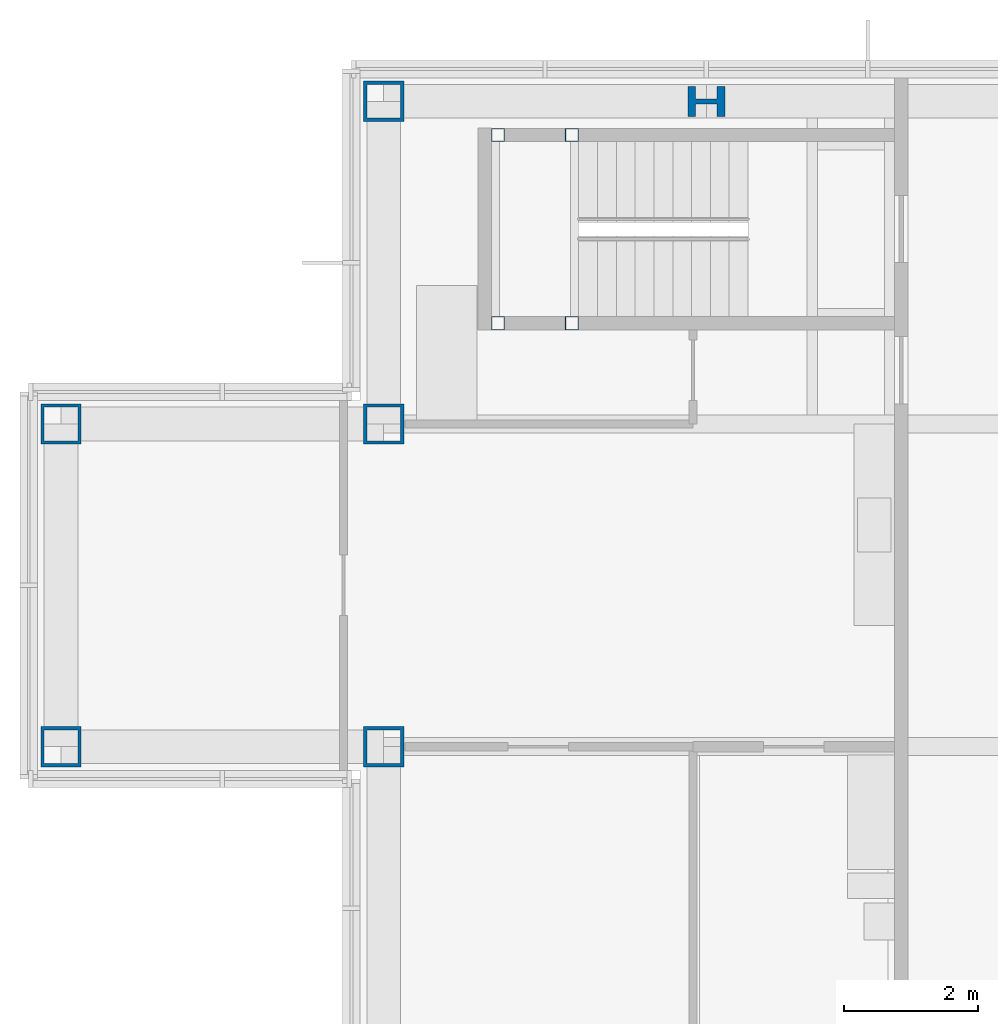
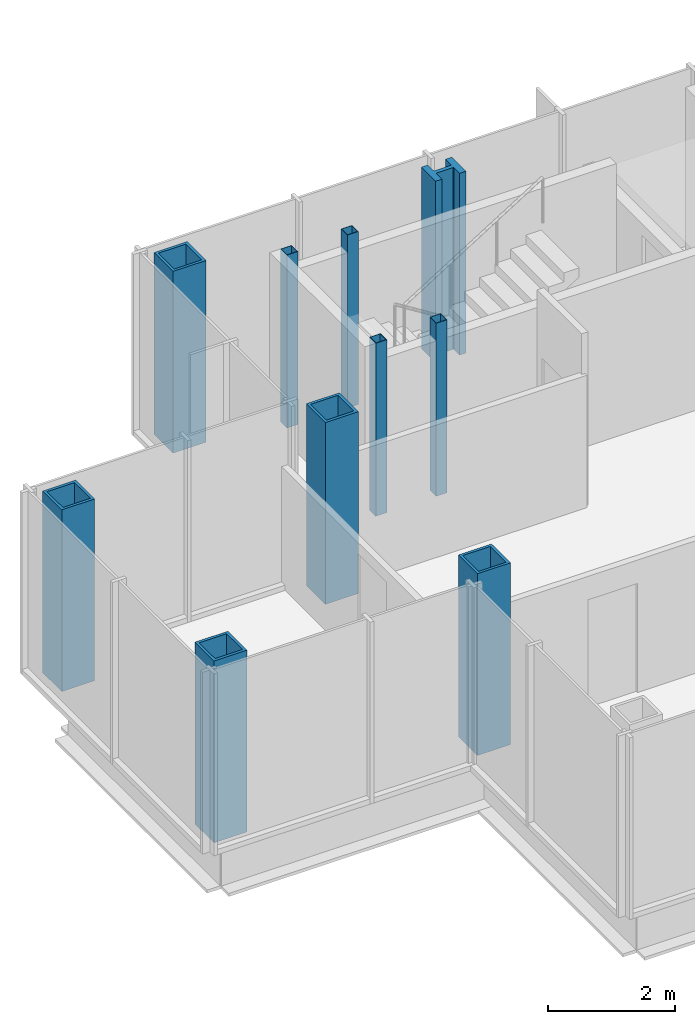
# One storey, part 3 of 15: 10 columns.
"""IFC4 building model written with IfcOpenShell, lengths in metres."""

from ifc_helpers import new_model, si_unit, direction, frame, origin, origin_2d, place, context, subcontext, project, spatial, hollow_rectangle, i_section, extrude, material, material_profile, profile_set, type_object, element, save


model = new_model("IFC4")

# Units and contexts
model_context = context("Model", 3, precision=1e-05, world=origin(), true_north=direction((0.0, 1.0)))
body_context = subcontext(model_context, "Body", "Model", "MODEL_VIEW")
ifc_project = project(units=[si_unit("LENGTHUNIT", "METRE"), si_unit("AREAUNIT", "SQUARE_METRE"), si_unit("VOLUMEUNIT", "CUBIC_METRE"), si_unit("PLANEANGLEUNIT", "RADIAN"), si_unit("MASSUNIT", "GRAM", prefix="KILO")], contexts=[model_context])

# Site, building, storey
site_placement = place(None, origin())
site = spatial("IfcSite", under=ifc_project, at=site_placement, CompositionType="ELEMENT")
building_placement = place(site_placement, origin())
building = spatial("IfcBuilding", under=site, at=building_placement, Name="Kvirike Care Tower", CompositionType="ELEMENT")
storey_placement = place(building_placement, frame((0.0, 0.0, 222.5)))
storey = spatial("IfcBuildingStorey", under=building, at=storey_placement, Name="L61", CompositionType="ELEMENT", Elevation=222.5)

# Columns
ifc_material_1 = material(Name="Steel S460", Category="steel")
ifc_material_profile_1 = material_profile(ifc_material_1, hollow_rectangle(XDim=0.60009765625, YDim=0.60009765625, WallThickness=0.050048828125, at=origin_2d()), Name="BX 600x600x50")
ifc_profile_set_1 = profile_set([ifc_material_profile_1], Name="Steel S460")
column_type_1 = type_object("IfcColumnType", Name="COLUMN BX 600x600x50", PredefinedType="COLUMN", material=ifc_profile_set_1)
for number, where, z_axis, x_axis, name in (
    (1, (0.0, 33.60009765625, 0.0), (0.0, 0.0, 1.0), (0.0, 1.0, 0.0), "Column H3 L61"),
    (2, (0.0, 38.39990234375, 0.0), (0.0, 0.0, 1.0), (0.0, 1.0, 0.0), "Column J3 L61"),
    (3, (4.800048828125, 33.60009765625, 0.0), (0.0, 0.0, 1.0), (0.0, 1.0, 0.0), "Column H4 L61"),
    (4, (4.800048828125, 38.39990234375, 0.0), (0.0, 0.0, 1.0), (0.0, 1.0, 0.0), "Column J4 L61"),
    (5, (4.800048828125, 43.199951171875, 0.0), (0.0, 0.0, 1.0), (0.0, 1.0, 0.0), "Column K4 L61"),
):
    element("IfcColumn", number, at=place(storey_placement, frame(where, z_axis=z_axis, x_axis=x_axis)), inside=storey, type_object=column_type_1, Name=name, PredefinedType="COLUMN", context=body_context, shape_type="SweptSolid", body=[
        extrude(hollow_rectangle(XDim=0.60009765625, YDim=0.60009765625, WallThickness=0.050048828125, at=origin_2d()), origin(), (0.0, 0.0, 1.0), 3.5),
    ])
ifc_material_2 = material(Name="Steel S460", Category="steel")
ifc_material_profile_2 = material_profile(ifc_material_2, i_section(OverallWidth=0.447998046875, OverallDepth=0.550048828125, WebThickness=0.072021484375, FlangeThickness=0.114990234375, FilletRadius=0.014892578125, at=origin_2d()), Name="HD 400x990")
ifc_profile_set_2 = profile_set([ifc_material_profile_2], Name="Steel S460")
column_type_2 = type_object("IfcColumnType", Name="COLUMN HD 400x990", PredefinedType="COLUMN", material=ifc_profile_set_2)
column_placement = place(storey_placement, frame((9.60009765625, 43.199951171875, 0.0), z_axis=(0.0, 0.0, 1.0), x_axis=(0.0, 1.0, 0.0)))
element("IfcColumn", 6, at=column_placement, inside=storey, type_object=column_type_2, Name="Column K5 L61", PredefinedType="COLUMN", context=body_context, shape_type="SweptSolid", body=[
    extrude(i_section(OverallWidth=0.447998046875, OverallDepth=0.550048828125, WebThickness=0.072021484375, FlangeThickness=0.114990234375, FilletRadius=0.014892578125, at=origin_2d()), origin(), (0.0, 0.0, 1.0), 3.5),
])
ifc_material_3 = material(Name="Steel S460", Category="steel")
ifc_material_profile_3 = material_profile(ifc_material_3, hollow_rectangle(XDim=0.199951171875, YDim=0.199951171875, WallThickness=0.008056640625, at=origin_2d()), Name="SHS 200x200x8")
ifc_profile_set_3 = profile_set([ifc_material_profile_3], Name="Steel S460")
column_type_3 = type_object("IfcColumnType", Name="STAIR POST SHS 200x200x8", PredefinedType="COLUMN", material=ifc_profile_set_3)
for number, where, z_axis, x_axis, name in (
    (7, (6.5, 42.699951171875, 0.0), (0.0, 0.0, 1.0), (1.0, 0.0, 0.0), "Stair 1 post 1 L61"),
    (8, (6.5, 39.89990234375, 0.0), (0.0, 0.0, 1.0), (1.0, 0.0, 0.0), "Stair 1 post 2 L61"),
    (9, (7.60009765625, 42.699951171875, 0.0), (0.0, 0.0, 1.0), (1.0, 0.0, 0.0), "Stair 1 post 3 L61"),
    (10, (7.60009765625, 39.89990234375, 0.0), (0.0, 0.0, 1.0), (1.0, 0.0, 0.0), "Stair 1 post 4 L61"),
):
    element("IfcColumn", number, at=place(storey_placement, frame(where, z_axis=z_axis, x_axis=x_axis)), inside=storey, type_object=column_type_3, Name=name, PredefinedType="COLUMN", context=body_context, shape_type="SweptSolid", body=[
        extrude(hollow_rectangle(XDim=0.199951171875, YDim=0.199951171875, WallThickness=0.008056640625, at=origin_2d()), origin(), (0.0, 0.0, 1.0), 3.330078125),
    ])

save(model, "model.ifc")
